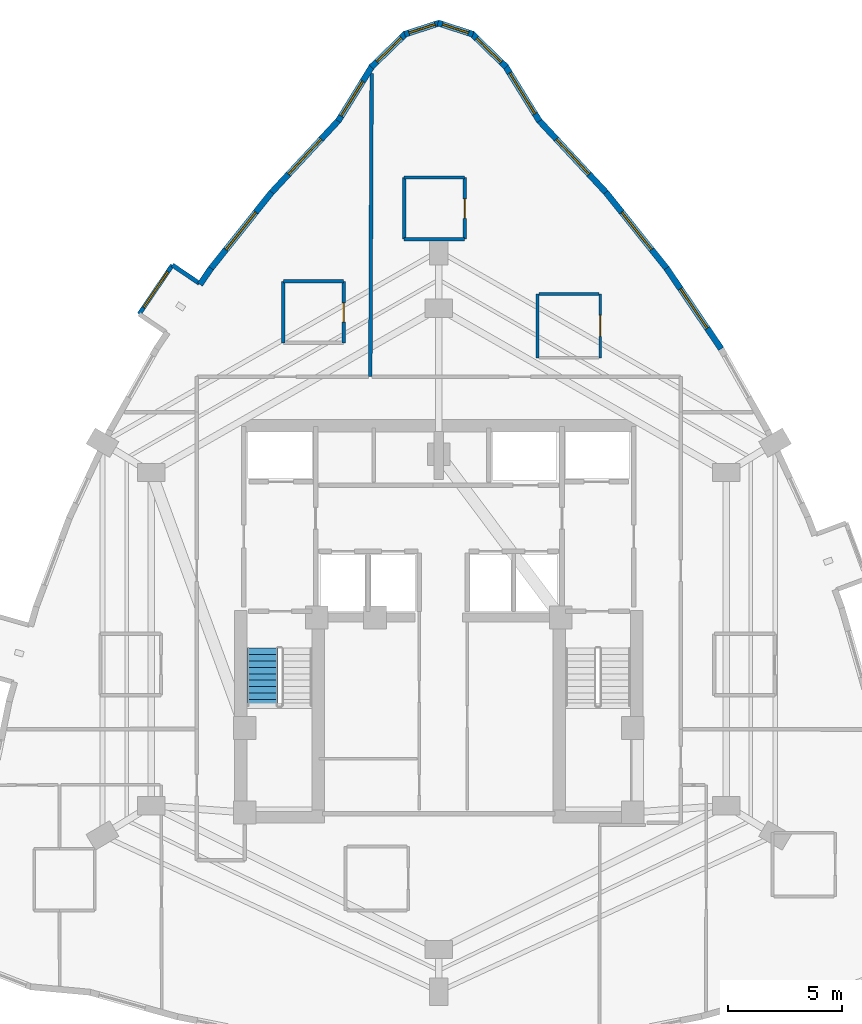
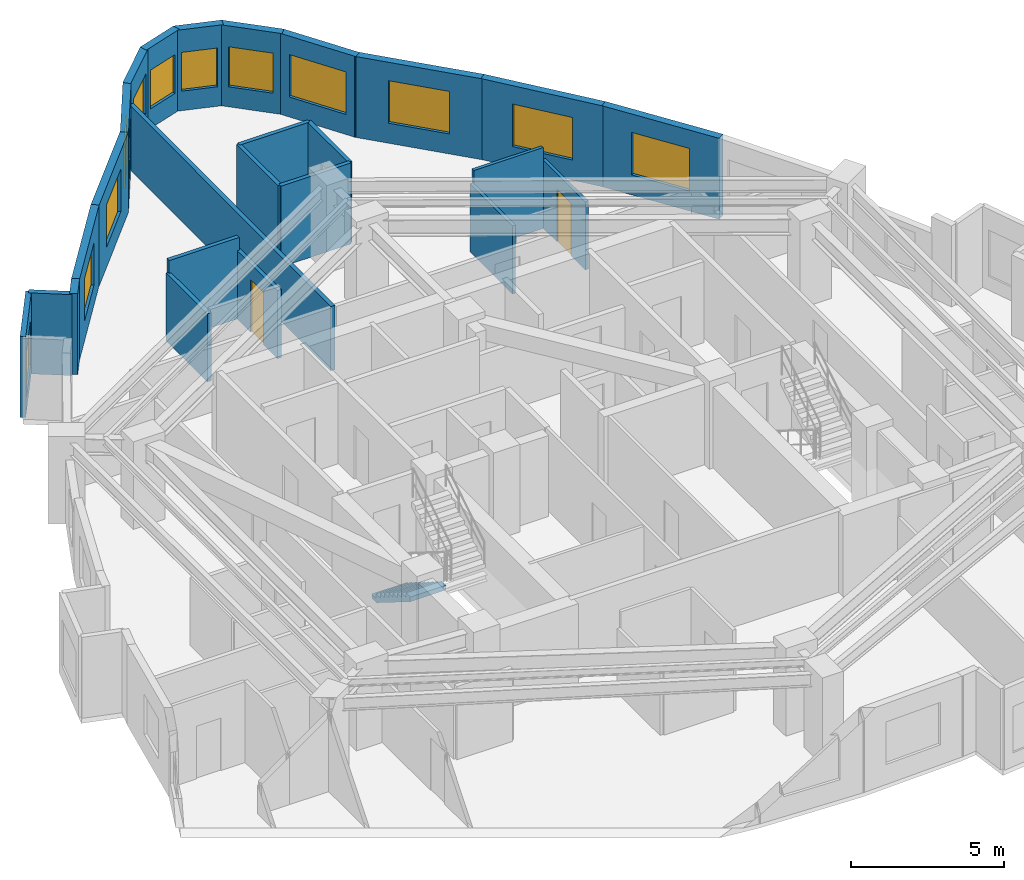
# One storey, part 7 of 9: 25 walls, 12 windows, 3 doors, 1 stair flight, 15 openings, 1 element without a shape of its own.
"""IFC4 building model written with IfcOpenShell, lengths in metres."""

import ifcopenshell
import ifcopenshell.guid

model = None  # the IFC model being written
_history = None  # IfcOwnerHistory: only IFC2X3 demands one
_inside = {}  # id of a spatial element -> (the spatial element, [elements in it])
_under = {}  # id of a project, library or spatial element -> (it, [spatial elements below it])
_declared = {}  # id of a project -> (the project, [libraries it declares])
_typed = {}  # id of a type object -> (the type object, [elements of that type])
_made_of = {}  # id of a material, layer set ... -> (it, [elements and type objects made of it])


def new_model(schema):
    """Start an empty IFC model of exactly this schema.

    Asked for "IFC4X3", IfcOpenShell would pick the latest addendum, in which some entities
    have other attributes; the version numbers below select the first issue.
    IFC2X3 requires an IfcOwnerHistory on every rooted entity: one is made here for all.
    """
    global model, _history
    if schema == "IFC4X3":
        model = ifcopenshell.file(schema_version=(4, 3, 0, 0))
    else:
        model = ifcopenshell.file(schema=schema)
    _inside.clear()
    _under.clear()
    _declared.clear()
    _typed.clear()
    _made_of.clear()
    _history = None
    if model.schema == "IFC2X3":
        org = make("IfcOrganization", Name="unknown")
        user = make(
            "IfcPersonAndOrganization",
            ThePerson=make("IfcPerson", FamilyName="unknown"),
            TheOrganization=org,
        )
        app = make(
            "IfcApplication",
            ApplicationDeveloper=org,
            Version="unknown",
            ApplicationFullName="unknown",
            ApplicationIdentifier="unknown",
        )
        _history = make(
            "IfcOwnerHistory",
            OwningUser=user,
            OwningApplication=app,
            ChangeAction="ADDED",
            CreationDate=0,
        )
    return model


def make(cls, **values):
    """One entity of the class cls with the attributes given. An attribute that is None is left unset."""
    return model.create_entity(
        cls, **{name: value for name, value in values.items() if value is not None}
    )


def rooted(cls, **values):
    """An entity with a GlobalId (a new one), such as an element, a storey or a relation."""
    return make(cls, GlobalId=ifcopenshell.guid.new(), OwnerHistory=_history, **values)


def si_unit(unit_type, name, prefix=None):
    """IfcSIUnit, for example si_unit("LENGTHUNIT", "METRE", prefix="MILLI")."""
    return make("IfcSIUnit", UnitType=unit_type, Prefix=prefix, Name=name)


def assignment(units):
    """IfcUnitAssignment: the units of a project."""
    return None if units is None else make("IfcUnitAssignment", Units=units)


def point(xyz):
    """IfcCartesianPoint."""
    return None if xyz is None else make("IfcCartesianPoint", Coordinates=xyz)


def direction(xyz):
    """IfcDirection."""
    return None if xyz is None else make("IfcDirection", DirectionRatios=xyz)


def frame(location, z_axis=None, x_axis=None):
    """IfcAxis2Placement3D, a coordinate frame: its origin and axes. An axis left out is left unset."""
    return make(
        "IfcAxis2Placement3D",
        Location=point(location),
        Axis=direction(z_axis),
        RefDirection=direction(x_axis),
    )


def frame_2d(location, x_axis=None):
    """IfcAxis2Placement2D, a coordinate frame in the plane: its origin and x axis."""
    return make(
        "IfcAxis2Placement2D", Location=point(location), RefDirection=direction(x_axis)
    )


def origin():
    """The frame at (0, 0, 0) with its axes left unset."""
    return frame((0.0, 0.0, 0.0))


def place(relative_to, where):
    """IfcLocalPlacement: puts the frame where relative to a parent placement (None: the world)."""
    return make(
        "IfcLocalPlacement", PlacementRelTo=relative_to, RelativePlacement=where
    )


def context(
    kind, dimensions, precision=None, world=None, true_north=None, identifier=None
):
    """IfcGeometricRepresentationContext, for example the 3D "Model" context."""
    return make(
        "IfcGeometricRepresentationContext",
        ContextIdentifier=identifier,
        ContextType=kind,
        CoordinateSpaceDimension=dimensions,
        Precision=precision,
        WorldCoordinateSystem=world,
        TrueNorth=true_north,
    )


def subcontext(parent, identifier, kind, view, scale=None):
    """IfcGeometricRepresentationSubContext, for example "Body" below "Model"."""
    return make(
        "IfcGeometricRepresentationSubContext",
        ContextIdentifier=identifier,
        ContextType=kind,
        ParentContext=parent,
        TargetScale=scale,
        TargetView=view,
    )


def project(units=None, contexts=None):
    """IfcProject with its units and contexts."""
    return rooted(
        "IfcProject",
        Name="project",
        RepresentationContexts=contexts,
        UnitsInContext=assignment(units),
    )


def spatial(cls, under=None, at=None, **own):
    """A site, building, storey or space (cls), placed at a placement, below another one or the project."""
    s = rooted(cls, ObjectPlacement=at, **own)
    if under is not None:
        _under.setdefault(under.id(), (under, []))[1].append(s)
    return s


def polyline(points):
    """IfcPolyline through the points."""
    return make("IfcPolyline", Points=[point(p) for p in points])


def profile(cls, at=None, kind="AREA", **sizes):
    """A parametric profile (cls). Its sizes go by their IFC names, for example OverallWidth=200.0."""
    return make(cls, ProfileType=kind, Position=at, **sizes)


def rectangle(**sizes):
    """IfcRectangleProfileDef."""
    return profile("IfcRectangleProfileDef", **sizes)


def outline(outer, holes=None, kind="AREA"):
    """IfcArbitraryClosedProfileDef: a profile drawn as a closed curve; with holes, ...WithVoids."""
    if holes is None:
        return make("IfcArbitraryClosedProfileDef", ProfileType=kind, OuterCurve=outer)
    return make(
        "IfcArbitraryProfileDefWithVoids",
        ProfileType=kind,
        OuterCurve=outer,
        InnerCurves=holes,
    )


def extrude(swept, where, along, depth):
    """IfcExtrudedAreaSolid: the profile swept, set in the frame where, extruded along a direction by depth."""
    return make(
        "IfcExtrudedAreaSolid",
        SweptArea=swept,
        Position=where,
        ExtrudedDirection=direction(along),
        Depth=depth,
    )


def shape(context_of_items, identifier, shape_type, items):
    """IfcShapeRepresentation: the items that make up one representation, for example the "Body"."""
    return make(
        "IfcShapeRepresentation",
        ContextOfItems=context_of_items,
        RepresentationIdentifier=identifier,
        RepresentationType=shape_type,
        Items=items,
    )


def material(Name=None, Category=None):
    """IfcMaterial."""
    return make("IfcMaterial", Name=Name, Category=Category)


def layer(
    of_material, thickness, ventilated=None, Name=None, Category=None, Priority=None
):
    """IfcMaterialLayer: one layer of a wall or slab, of a material (None: an air gap)."""
    return make(
        "IfcMaterialLayer",
        Material=of_material,
        LayerThickness=thickness,
        IsVentilated=ventilated,
        Name=Name,
        Category=Category,
        Priority=Priority,
    )


def layer_set(layers, Name=None):
    """IfcMaterialLayerSet."""
    return make("IfcMaterialLayerSet", MaterialLayers=layers, LayerSetName=Name)


def made_of(thing, what):
    """Note that an element or type object is made of a material, layer set ...; save() writes the relation."""
    if what is not None:
        _made_of.setdefault(what.id(), (what, []))[1].append(thing)
    return thing


def type_object(cls, material=None, **own):
    """A type object (cls), such as IfcWallType, which elements share."""
    return made_of(rooted(cls, **own), material)


def element(
    cls,
    number,
    at=None,
    inside=None,
    cuts=None,
    type_object=None,
    material=None,
    context=None,
    identifier="Body",
    shape_type=None,
    held_by="IfcProductDefinitionShape",
    body=None,
    shapes=None,
    **own,
):
    """One element of the class cls, such as IfcWall. Its Tag is "e" and its number.

    at: its placement. inside: the storey or other place that contains it. cuts: it is an
    opening in that element (IfcRelVoidsElement). A single representation is given by context,
    identifier, shape_type and body (its items); several are given by shapes. held_by: the class
    of the entity that holds the representations. save() writes the other relations.
    """
    e = rooted(cls, Tag="e%d" % number, ObjectPlacement=at, **own)
    if body is not None:
        shapes = [shape(context, identifier, shape_type, body)]
    if shapes is not None:
        e.Representation = make(held_by, Representations=shapes)
    if inside is not None:
        _inside.setdefault(inside.id(), (inside, []))[1].append(e)
    if cuts is not None:
        rooted(
            "IfcRelVoidsElement", RelatingBuildingElement=cuts, RelatedOpeningElement=e
        )
    if type_object is not None:
        _typed.setdefault(type_object.id(), (type_object, []))[1].append(e)
    return made_of(e, material)


def fill(opening, filler):
    """IfcRelFillsElement: the door or window that sits in an opening."""
    return rooted(
        "IfcRelFillsElement",
        RelatingOpeningElement=opening,
        RelatedBuildingElement=filler,
    )


def aggregate(whole, parts):
    """IfcRelAggregates: a whole, such as a stair, and the parts it consists of."""
    return rooted("IfcRelAggregates", RelatingObject=whole, RelatedObjects=parts)


def save(model, path):
    """Write the relations noted so far, then the file.

    IfcRelAggregates (storeys below a building ...), IfcRelContainedInSpatialStructure (elements
    in a storey), IfcRelDefinesByType, IfcRelAssociatesMaterial and IfcRelDeclares: one each for
    every whole, place, type object, material and project.
    """
    for whole, parts in _under.values():
        aggregate(whole, parts)
    for where, things in _inside.values():
        rooted(
            "IfcRelContainedInSpatialStructure",
            RelatedElements=things,
            RelatingStructure=where,
        )
    for kind, things in _typed.values():
        rooted("IfcRelDefinesByType", RelatedObjects=things, RelatingType=kind)
    for what, things in _made_of.values():
        rooted("IfcRelAssociatesMaterial", RelatedObjects=things, RelatingMaterial=what)
    for by, libraries in _declared.values():
        rooted("IfcRelDeclares", RelatingContext=by, RelatedDefinitions=libraries)
    model.write(path)


model = new_model("IFC4")

# Units and contexts
model_context = context("Model", 3, precision=1e-05, world=origin(), true_north=direction((0.0, 1.0)))
body_context = subcontext(model_context, "Body", "Model", "MODEL_VIEW")
ifc_project = project(units=[si_unit("LENGTHUNIT", "METRE"), si_unit("AREAUNIT", "SQUARE_METRE"), si_unit("VOLUMEUNIT", "CUBIC_METRE"), si_unit("PLANEANGLEUNIT", "RADIAN"), si_unit("MASSUNIT", "GRAM", prefix="KILO")], contexts=[model_context])

# Site, building, storey
site_placement = place(None, origin())
site = spatial("IfcSite", under=ifc_project, at=site_placement, CompositionType="ELEMENT")
building_placement = place(site_placement, origin())
building = spatial("IfcBuilding", under=site, at=building_placement, Name="Miruveldt Soraemaru", CompositionType="ELEMENT")
storey_placement = place(building_placement, frame((0.0, 0.0, 170.39990234375)))
storey = spatial("IfcBuildingStorey", under=building, at=storey_placement, Name="L47", CompositionType="ELEMENT", Elevation=170.39990234375)

# Wall
ifc_material_1 = material(Name="White powder-coated aluminium EN AW-6060 T6", Category="aluminium")
ifc_layer_1 = layer(ifc_material_1, 0.18994140625, Name="White powder-coated aluminium EN AW-6060 T6", Category="aluminium")
ifc_layer_set_1 = layer_set([ifc_layer_1], Name="White powder-coated aluminium EN AW-6060 T6")
wall_type_1 = type_object("IfcWallType", Name="WALL-BAY-ALU190", PredefinedType="SOLIDWALL", material=ifc_layer_set_1)
wall_1_placement = place(storey_placement, frame((33.5029296875, 58.69580078125, 0.0), z_axis=(0.0, 0.0, 1.0), x_axis=(-0.827862228344, 0.560931485016, 0.0)))
element("IfcWall", 1, at=wall_1_placement, inside=storey, type_object=wall_type_1, Name="L47 Bay Window Side Cheek 1L", PredefinedType="SOLIDWALL", context=body_context, shape_type="SweptSolid", body=[
    extrude(rectangle(XDim=1.425048828125, YDim=0.18994140625, at=frame_2d((0.71240234375, 0.0))), origin(), (0.0, 0.0, 1.0), 3.235107421875),
])

# Wall, opening, window
wall_2_placement = place(storey_placement, frame((32.3232421875, 59.4951171875, 0.0), z_axis=(0.0, 0.0, 1.0), x_axis=(-0.560860602504, -0.827910251512, 0.0)))
wall_2 = element("IfcWall", 2, at=wall_2_placement, inside=storey, type_object=wall_type_1, Name="L47 Bay Window Front Frame 1", PredefinedType="SOLIDWALL", context=body_context, shape_type="SweptSolid", body=[
    extrude(rectangle(XDim=2.60009765625, YDim=0.18994140625, at=frame_2d((1.300048828125, 0.0))), origin(), (0.0, 0.0, 1.0), 3.235107421875),
])
opening_1_placement = place(wall_2_placement, frame((0.35009765625, 0.0, 0.550048828125)))
opening_1 = element("IfcOpeningElement", 3, at=opening_1_placement, cuts=wall_2, Name="Opening WN-6", PredefinedType="OPENING", context=body_context, shape_type="SweptSolid", body=[
    extrude(rectangle(XDim=1.89990234375, YDim=1.85009765625, at=frame_2d((0.949951171875, 0.925048828125))), frame((0.0, 0.10498046875, 0.0), z_axis=(0.0, -1.0, 0.0), x_axis=(1.0, 0.0, 0.0)), (0.0, 0.0, 1.0), 0.2099609375),
])
ifc_material_2 = material(Name="Triple low-e insulated glazing", Category="glass")
window_type_1 = type_object("IfcWindowType", Name="WIN-BAYW-1900x1850", PartitioningType="SINGLE_PANEL", PredefinedType="WINDOW", material=ifc_material_2)
window_1_placement = place(opening_1_placement, origin())
window_1 = element("IfcWindow", 4, at=window_1_placement, inside=storey, type_object=window_type_1, Name="L47 Projecting Bay Window 1", OverallHeight=1.85009765625, OverallWidth=1.89990234375, PartitioningType="SINGLE_PANEL", PredefinedType="WINDOW", context=body_context, shape_type="SweptSolid", body=[
    extrude(rectangle(XDim=1.89990234375, YDim=1.85009765625, at=frame_2d((0.949951171875, 0.925048828125))), frame((0.0, 0.030029296875, 0.0), z_axis=(0.0, -1.0, 0.0), x_axis=(1.0, 0.0, 0.0)), (0.0, 0.0, 1.0), 0.06005859375),
])
fill(opening_1, window_1)

ifc_material_3 = material(Name="Precast concrete C45/55 (45 MPa)", Category="concrete")
ifc_layer_2 = layer(ifc_material_3, 0.27001953125, Name="Precast concrete C45/55 (45 MPa)", Category="concrete")
ifc_layer_set_2 = layer_set([ifc_layer_2], Name="Precast concrete C45/55 (45 MPa)")
wall_type_2 = type_object("IfcWallType", Name="WALL-EXT-PC270", PredefinedType="SOLIDWALL", material=ifc_layer_set_2)
wall_3_placement = place(storey_placement, frame((48.412841796875, 65.80322265625, 0.0), z_axis=(0.0, 0.0, 1.0), x_axis=(-0.526095476119, 0.850425511145, 0.0)))
wall_3 = element("IfcWall", 5, at=wall_3_placement, inside=storey, type_object=wall_type_2, Name="L47 Precast Concrete Facade Wall 1", PredefinedType="SOLIDWALL", context=body_context, shape_type="SweptSolid", body=[
    extrude(rectangle(XDim=2.8544921875, YDim=0.27001953125, at=frame_2d((1.42724609375, 0.0))), origin(), (0.0, 0.0, 1.0), 3.235107421875),
])
opening_2_placement = place(wall_3_placement, frame((0.376953125, 0.0, 0.800048828125)))
opening_2 = element("IfcOpeningElement", 6, at=opening_2_placement, cuts=wall_3, Name="Opening WN-1", PredefinedType="OPENING", context=body_context, shape_type="SweptSolid", body=[
    extrude(rectangle(XDim=2.10009765625, YDim=1.699951171875, at=frame_2d((1.050048828125, 0.85009765625))), frame((0.0, 0.14501953125, 0.0), z_axis=(0.0, -1.0, 0.0), x_axis=(1.0, 0.0, 0.0)), (0.0, 0.0, 1.0), 0.2900390625),
])
window_type_2 = type_object("IfcWindowType", Name="WIN-PUNCH-2100x1700", PartitioningType="SINGLE_PANEL", PredefinedType="WINDOW", material=ifc_material_2)
window_2_placement = place(opening_2_placement, origin())
window_2 = element("IfcWindow", 7, at=window_2_placement, inside=storey, type_object=window_type_2, Name="L47 Punched Triple-Glazed Window 01.1", OverallHeight=1.699951171875, OverallWidth=2.10009765625, PartitioningType="SINGLE_PANEL", PredefinedType="WINDOW", context=body_context, shape_type="SweptSolid", body=[
    extrude(rectangle(XDim=2.10009765625, YDim=1.699951171875, at=frame_2d((1.050048828125, 0.85009765625))), frame((0.0, 0.030029296875, 0.0), z_axis=(0.0, -1.0, 0.0), x_axis=(1.0, 0.0, 0.0)), (0.0, 0.0, 1.0), 0.06005859375),
])
fill(opening_2, window_2)

wall_4_placement = place(storey_placement, frame((46.95458984375, 68.176513671875, 0.0), z_axis=(0.0, 0.0, 1.0), x_axis=(-0.717725197835, 0.696326461075, 0.0)))
wall_4 = element("IfcWall", 8, at=wall_4_placement, inside=storey, type_object=wall_type_2, Name="L47 Precast Concrete Facade Wall 2", PredefinedType="SOLIDWALL", context=body_context, shape_type="SweptSolid", body=[
    extrude(rectangle(XDim=2.110595703125, YDim=0.27001953125, at=frame_2d((1.05517578125, 0.0))), origin(), (0.0, 0.0, 1.0), 3.235107421875),
])
opening_3_placement = place(wall_4_placement, frame((0.305908203125, 0.0, 0.800048828125)))
opening_3 = element("IfcOpeningElement", 9, at=opening_3_placement, cuts=wall_4, Name="Opening WN-3", PredefinedType="OPENING", context=body_context, shape_type="SweptSolid", body=[
    extrude(rectangle(XDim=1.5, YDim=1.60009765625, at=frame_2d((0.75, 0.800048828125))), frame((0.0, 0.14501953125, 0.0), z_axis=(0.0, -1.0, 0.0), x_axis=(1.0, 0.0, 0.0)), (0.0, 0.0, 1.0), 0.2900390625),
])
window_type_3 = type_object("IfcWindowType", Name="WIN-PUNCH-1500x1600", PartitioningType="SINGLE_PANEL", PredefinedType="WINDOW", material=ifc_material_2)
window_3_placement = place(opening_3_placement, origin())
window_3 = element("IfcWindow", 10, at=window_3_placement, inside=storey, type_object=window_type_3, Name="L47 Punched Triple-Glazed Window 02.1", OverallHeight=1.60009765625, OverallWidth=1.5, PartitioningType="SINGLE_PANEL", PredefinedType="WINDOW", context=body_context, shape_type="SweptSolid", body=[
    extrude(rectangle(XDim=1.5, YDim=1.60009765625, at=frame_2d((0.75, 0.800048828125))), frame((0.0, 0.030029296875, 0.0), z_axis=(0.0, -1.0, 0.0), x_axis=(1.0, 0.0, 0.0)), (0.0, 0.0, 1.0), 0.06005859375),
])
fill(opening_3, window_3)

wall_5_placement = place(storey_placement, frame((45.498046875, 69.611083984375, 0.0), z_axis=(0.0, 0.0, 1.0), x_axis=(-0.951496776106, 0.307658715233, 0.0)))
wall_5 = element("IfcWall", 11, at=wall_5_placement, inside=storey, type_object=wall_type_2, Name="L47 Precast Concrete Facade Wall 3", PredefinedType="SOLIDWALL", context=body_context, shape_type="SweptSolid", body=[
    extrude(rectangle(XDim=1.609375, YDim=0.27001953125, at=frame_2d((0.8046875, 0.0))), origin(), (0.0, 0.0, 1.0), 3.235107421875),
])
opening_4_placement = place(wall_5_placement, frame((0.205078125, 0.0, 0.780029296875)))
opening_4 = element("IfcOpeningElement", 12, at=opening_4_placement, cuts=wall_5, Name="Opening WN-4", PredefinedType="OPENING", context=body_context, shape_type="SweptSolid", body=[
    extrude(rectangle(XDim=1.199951171875, YDim=1.550048828125, at=frame_2d((0.60009765625, 0.77490234375))), frame((0.0, 0.14501953125, 0.0), z_axis=(0.0, -1.0, 0.0), x_axis=(1.0, 0.0, 0.0)), (0.0, 0.0, 1.0), 0.2900390625),
])
window_type_4 = type_object("IfcWindowType", Name="WIN-PUNCH-1200x1550", PartitioningType="SINGLE_PANEL", PredefinedType="WINDOW", material=ifc_material_2)
window_4_placement = place(opening_4_placement, origin())
window_4 = element("IfcWindow", 13, at=window_4_placement, inside=storey, type_object=window_type_4, Name="L47 Punched Triple-Glazed Window 03.1", OverallHeight=1.550048828125, OverallWidth=1.199951171875, PartitioningType="SINGLE_PANEL", PredefinedType="WINDOW", context=body_context, shape_type="SweptSolid", body=[
    extrude(rectangle(XDim=1.199951171875, YDim=1.550048828125, at=frame_2d((0.60009765625, 0.77490234375))), frame((0.0, 0.030029296875, 0.0), z_axis=(0.0, -1.0, 0.0), x_axis=(1.0, 0.0, 0.0)), (0.0, 0.0, 1.0), 0.06005859375),
])
fill(opening_4, window_4)

wall_6_placement = place(storey_placement, frame((44.033203125, 70.106201171875, 0.0), z_axis=(0.0, 0.0, 1.0), x_axis=(-0.951496776106, -0.307658715233, 0.0)))
wall_6 = element("IfcWall", 14, at=wall_6_placement, inside=storey, type_object=wall_type_2, Name="L47 Precast Concrete Facade Wall 4", PredefinedType="SOLIDWALL", context=body_context, shape_type="SweptSolid", body=[
    extrude(rectangle(XDim=1.609375, YDim=0.27001953125, at=frame_2d((0.8046875, 0.0))), origin(), (0.0, 0.0, 1.0), 3.235107421875),
])
opening_5_placement = place(wall_6_placement, frame((0.205078125, 0.0, 0.780029296875)))
opening_5 = element("IfcOpeningElement", 15, at=opening_5_placement, cuts=wall_6, Name="Opening WN-4", PredefinedType="OPENING", context=body_context, shape_type="SweptSolid", body=[
    extrude(rectangle(XDim=1.199951171875, YDim=1.550048828125, at=frame_2d((0.60009765625, 0.77490234375))), frame((0.0, 0.14501953125, 0.0), z_axis=(0.0, -1.0, 0.0), x_axis=(1.0, 0.0, 0.0)), (0.0, 0.0, 1.0), 0.2900390625),
])
window_5_placement = place(opening_5_placement, origin())
window_5 = element("IfcWindow", 16, at=window_5_placement, inside=storey, type_object=window_type_4, Name="L47 Punched Triple-Glazed Window 04.1", OverallHeight=1.550048828125, OverallWidth=1.199951171875, PartitioningType="SINGLE_PANEL", PredefinedType="WINDOW", context=body_context, shape_type="SweptSolid", body=[
    extrude(rectangle(XDim=1.199951171875, YDim=1.550048828125, at=frame_2d((0.60009765625, 0.77490234375))), frame((0.0, 0.030029296875, 0.0), z_axis=(0.0, -1.0, 0.0), x_axis=(1.0, 0.0, 0.0)), (0.0, 0.0, 1.0), 0.06005859375),
])
fill(opening_5, window_5)

wall_7_placement = place(storey_placement, frame((42.560302734375, 69.646240234375, 0.0), z_axis=(0.0, 0.0, 1.0), x_axis=(-0.717725197835, -0.696326461075, 0.0)))
wall_7 = element("IfcWall", 17, at=wall_7_placement, inside=storey, type_object=wall_type_2, Name="L47 Precast Concrete Facade Wall 5", PredefinedType="SOLIDWALL", context=body_context, shape_type="SweptSolid", body=[
    extrude(rectangle(XDim=2.110595703125, YDim=0.27001953125, at=frame_2d((1.05517578125, 0.0))), origin(), (0.0, 0.0, 1.0), 3.235107421875),
])
opening_6_placement = place(wall_7_placement, frame((0.278076171875, 0.0, 0.800048828125)))
opening_6 = element("IfcOpeningElement", 18, at=opening_6_placement, cuts=wall_7, Name="Opening WN-3", PredefinedType="OPENING", context=body_context, shape_type="SweptSolid", body=[
    extrude(rectangle(XDim=1.5, YDim=1.60009765625, at=frame_2d((0.75, 0.800048828125))), frame((0.0, 0.14501953125, 0.0), z_axis=(0.0, -1.0, 0.0), x_axis=(1.0, 0.0, 0.0)), (0.0, 0.0, 1.0), 0.2900390625),
])
window_6_placement = place(opening_6_placement, origin())
window_6 = element("IfcWindow", 19, at=window_6_placement, inside=storey, type_object=window_type_3, Name="L47 Punched Triple-Glazed Window 05.1", OverallHeight=1.60009765625, OverallWidth=1.5, PartitioningType="SINGLE_PANEL", PredefinedType="WINDOW", context=body_context, shape_type="SweptSolid", body=[
    extrude(rectangle(XDim=1.5, YDim=1.60009765625, at=frame_2d((0.75, 0.800048828125))), frame((0.0, 0.030029296875, 0.0), z_axis=(0.0, -1.0, 0.0), x_axis=(1.0, 0.0, 0.0)), (0.0, 0.0, 1.0), 0.06005859375),
])
fill(opening_6, window_6)

wall_8_placement = place(storey_placement, frame((41.0888671875, 68.230712890625, 0.0), z_axis=(0.0, 0.0, 1.0), x_axis=(-0.526095476119, -0.850425511145, 0.0)))
wall_8 = element("IfcWall", 20, at=wall_8_placement, inside=storey, type_object=wall_type_2, Name="L47 Precast Concrete Facade Wall 6", PredefinedType="SOLIDWALL", context=body_context, shape_type="SweptSolid", body=[
    extrude(rectangle(XDim=2.8544921875, YDim=0.27001953125, at=frame_2d((1.42724609375, 0.0))), origin(), (0.0, 0.0, 1.0), 3.235107421875),
])
opening_7_placement = place(wall_8_placement, frame((0.797119140625, 0.0, 0.800048828125)))
opening_7 = element("IfcOpeningElement", 21, at=opening_7_placement, cuts=wall_8, Name="Opening WN-2", PredefinedType="OPENING", context=body_context, shape_type="SweptSolid", body=[
    extrude(rectangle(XDim=1.800048828125, YDim=1.64990234375, at=frame_2d((0.89990234375, 0.824951171875))), frame((0.0, 0.14501953125, 0.0), z_axis=(0.0, -1.0, 0.0), x_axis=(1.0, 0.0, 0.0)), (0.0, 0.0, 1.0), 0.2900390625),
])
window_type_5 = type_object("IfcWindowType", Name="WIN-PUNCH-1800x1650", PartitioningType="SINGLE_PANEL", PredefinedType="WINDOW", material=ifc_material_2)
window_7_placement = place(opening_7_placement, origin())
window_7 = element("IfcWindow", 22, at=window_7_placement, inside=storey, type_object=window_type_5, Name="L47 Punched Triple-Glazed Window 06.1", OverallHeight=1.64990234375, OverallWidth=1.800048828125, PartitioningType="SINGLE_PANEL", PredefinedType="WINDOW", context=body_context, shape_type="SweptSolid", body=[
    extrude(rectangle(XDim=1.800048828125, YDim=1.64990234375, at=frame_2d((0.89990234375, 0.824951171875))), frame((0.0, 0.030029296875, 0.0), z_axis=(0.0, -1.0, 0.0), x_axis=(1.0, 0.0, 0.0)), (0.0, 0.0, 1.0), 0.06005859375),
])
fill(opening_7, window_7)

wall_9_placement = place(storey_placement, frame((39.62939453125, 65.858642578125, 0.0), z_axis=(0.0, 0.0, 1.0), x_axis=(-0.680867612552, -0.732406508831, 0.0)))
wall_9 = element("IfcWall", 23, at=wall_9_placement, inside=storey, type_object=wall_type_2, Name="L47 Precast Concrete Facade Wall 7", PredefinedType="SOLIDWALL", context=body_context, shape_type="SweptSolid", body=[
    extrude(rectangle(XDim=4.405517578125, YDim=0.27001953125, at=frame_2d((2.20263671875, 0.0))), origin(), (0.0, 0.0, 1.0), 3.235107421875),
])
opening_8_placement = place(wall_9_placement, frame((1.152099609375, 0.0, 0.800048828125)))
opening_8 = element("IfcOpeningElement", 24, at=opening_8_placement, cuts=wall_9, Name="Opening WN-1", PredefinedType="OPENING", context=body_context, shape_type="SweptSolid", body=[
    extrude(rectangle(XDim=2.10009765625, YDim=1.699951171875, at=frame_2d((1.050048828125, 0.85009765625))), frame((0.0, 0.14501953125, 0.0), z_axis=(0.0, -1.0, 0.0), x_axis=(1.0, 0.0, 0.0)), (0.0, 0.0, 1.0), 0.2900390625),
])
window_8_placement = place(opening_8_placement, origin())
window_8 = element("IfcWindow", 25, at=window_8_placement, inside=storey, type_object=window_type_2, Name="L47 Punched Triple-Glazed Window 07.1", OverallHeight=1.699951171875, OverallWidth=2.10009765625, PartitioningType="SINGLE_PANEL", PredefinedType="WINDOW", context=body_context, shape_type="SweptSolid", body=[
    extrude(rectangle(XDim=2.10009765625, YDim=1.699951171875, at=frame_2d((1.050048828125, 0.85009765625))), frame((0.0, 0.030029296875, 0.0), z_axis=(0.0, -1.0, 0.0), x_axis=(1.0, 0.0, 0.0)), (0.0, 0.0, 1.0), 0.06005859375),
])
fill(opening_8, window_8)

wall_10_placement = place(storey_placement, frame((36.67529296875, 62.68505859375, 0.0), z_axis=(0.0, 0.0, 1.0), x_axis=(-0.623572950906, -0.781765166082, 0.0)))
wall_10 = element("IfcWall", 26, at=wall_10_placement, inside=storey, type_object=wall_type_2, Name="L47 Precast Concrete Facade Wall 8", PredefinedType="SOLIDWALL", context=body_context, shape_type="SweptSolid", body=[
    extrude(rectangle(XDim=4.327392578125, YDim=0.27001953125, at=frame_2d((2.16357421875, 0.0))), origin(), (0.0, 0.0, 1.0), 3.235107421875),
])
opening_9_placement = place(wall_10_placement, frame((1.114013671875, 0.0, 0.800048828125)))
opening_9 = element("IfcOpeningElement", 27, at=opening_9_placement, cuts=wall_10, Name="Opening WN-1", PredefinedType="OPENING", context=body_context, shape_type="SweptSolid", body=[
    extrude(rectangle(XDim=2.10009765625, YDim=1.699951171875, at=frame_2d((1.050048828125, 0.85009765625))), frame((0.0, 0.14501953125, 0.0), z_axis=(0.0, -1.0, 0.0), x_axis=(1.0, 0.0, 0.0)), (0.0, 0.0, 1.0), 0.2900390625),
])
window_9_placement = place(opening_9_placement, origin())
window_9 = element("IfcWindow", 28, at=window_9_placement, inside=storey, type_object=window_type_2, Name="L47 Punched Triple-Glazed Window 08.1", OverallHeight=1.699951171875, OverallWidth=2.10009765625, PartitioningType="SINGLE_PANEL", PredefinedType="WINDOW", context=body_context, shape_type="SweptSolid", body=[
    extrude(rectangle(XDim=2.10009765625, YDim=1.699951171875, at=frame_2d((1.050048828125, 0.85009765625))), frame((0.0, 0.030029296875, 0.0), z_axis=(0.0, -1.0, 0.0), x_axis=(1.0, 0.0, 0.0)), (0.0, 0.0, 1.0), 0.06005859375),
])
fill(opening_9, window_9)

# Wall
wall_11_placement = place(storey_placement, frame((34.01806640625, 59.3583984375, 0.0), z_axis=(0.0, 0.0, 1.0), x_axis=(-0.560661430065, -0.828045144203, 0.0)))
element("IfcWall", 29, at=wall_11_placement, inside=storey, type_object=wall_type_2, Name="L47 Precast Pier Wall 9A", PredefinedType="SOLIDWALL", context=body_context, shape_type="SweptSolid", body=[
    extrude(rectangle(XDim=0.867431640625, YDim=0.27001953125, at=frame_2d((0.43359375, 0.0))), origin(), (0.0, 0.0, 1.0), 3.235107421875),
])

# Wall, opening, window
wall_12_placement = place(storey_placement, frame((56.37939453125, 55.819091796875, 0.0), z_axis=(0.0, 0.0, 1.0), x_axis=(-0.560826677565, 0.827933232653, 0.0)))
wall_12 = element("IfcWall", 30, at=wall_12_placement, inside=storey, type_object=wall_type_2, Name="L47 Precast Concrete Facade Wall 40", PredefinedType="SOLIDWALL", context=body_context, shape_type="SweptSolid", body=[
    extrude(rectangle(XDim=4.27490234375, YDim=0.27001953125, at=frame_2d((2.137451171875, 0.0))), origin(), (0.0, 0.0, 1.0), 3.235107421875),
])
opening_10_placement = place(wall_12_placement, frame((1.0869140625, 0.0, 0.800048828125)))
opening_10 = element("IfcOpeningElement", 31, at=opening_10_placement, cuts=wall_12, Name="Opening WN-1", PredefinedType="OPENING", context=body_context, shape_type="SweptSolid", body=[
    extrude(rectangle(XDim=2.10009765625, YDim=1.699951171875, at=frame_2d((1.050048828125, 0.85009765625))), frame((0.0, 0.14501953125, 0.0), z_axis=(0.0, -1.0, 0.0), x_axis=(1.0, 0.0, 0.0)), (0.0, 0.0, 1.0), 0.2900390625),
])
window_10_placement = place(opening_10_placement, origin())
window_10 = element("IfcWindow", 32, at=window_10_placement, inside=storey, type_object=window_type_2, Name="L47 Punched Triple-Glazed Window 40.1", OverallHeight=1.699951171875, OverallWidth=2.10009765625, PartitioningType="SINGLE_PANEL", PredefinedType="WINDOW", context=body_context, shape_type="SweptSolid", body=[
    extrude(rectangle(XDim=2.10009765625, YDim=1.699951171875, at=frame_2d((1.050048828125, 0.85009765625))), frame((0.0, 0.030029296875, 0.0), z_axis=(0.0, -1.0, 0.0), x_axis=(1.0, 0.0, 0.0)), (0.0, 0.0, 1.0), 0.06005859375),
])
fill(opening_10, window_10)

wall_13_placement = place(storey_placement, frame((54.023193359375, 59.302001953125, 0.0), z_axis=(0.0, 0.0, 1.0), x_axis=(-0.623572950906, 0.781765166082, 0.0)))
wall_13 = element("IfcWall", 33, at=wall_13_placement, inside=storey, type_object=wall_type_2, Name="L47 Precast Concrete Facade Wall 41", PredefinedType="SOLIDWALL", context=body_context, shape_type="SweptSolid", body=[
    extrude(rectangle(XDim=4.327392578125, YDim=0.27001953125, at=frame_2d((2.16357421875, 0.0))), origin(), (0.0, 0.0, 1.0), 3.235107421875),
])
opening_11_placement = place(wall_13_placement, frame((1.114013671875, 0.0, 0.800048828125)))
opening_11 = element("IfcOpeningElement", 34, at=opening_11_placement, cuts=wall_13, Name="Opening WN-1", PredefinedType="OPENING", context=body_context, shape_type="SweptSolid", body=[
    extrude(rectangle(XDim=2.10009765625, YDim=1.699951171875, at=frame_2d((1.050048828125, 0.85009765625))), frame((0.0, 0.14501953125, 0.0), z_axis=(0.0, -1.0, 0.0), x_axis=(1.0, 0.0, 0.0)), (0.0, 0.0, 1.0), 0.2900390625),
])
window_11_placement = place(opening_11_placement, origin())
window_11 = element("IfcWindow", 35, at=window_11_placement, inside=storey, type_object=window_type_2, Name="L47 Punched Triple-Glazed Window 41.1", OverallHeight=1.699951171875, OverallWidth=2.10009765625, PartitioningType="SINGLE_PANEL", PredefinedType="WINDOW", context=body_context, shape_type="SweptSolid", body=[
    extrude(rectangle(XDim=2.10009765625, YDim=1.699951171875, at=frame_2d((1.050048828125, 0.85009765625))), frame((0.0, 0.030029296875, 0.0), z_axis=(0.0, -1.0, 0.0), x_axis=(1.0, 0.0, 0.0)), (0.0, 0.0, 1.0), 0.06005859375),
])
fill(opening_11, window_11)

wall_14_placement = place(storey_placement, frame((51.3701171875, 62.632080078125, 0.0), z_axis=(0.0, 0.0, 1.0), x_axis=(-0.680867612552, 0.732406508831, 0.0)))
wall_14 = element("IfcWall", 36, at=wall_14_placement, inside=storey, type_object=wall_type_2, Name="L47 Precast Concrete Facade Wall 42", PredefinedType="SOLIDWALL", context=body_context, shape_type="SweptSolid", body=[
    extrude(rectangle(XDim=4.405517578125, YDim=0.27001953125, at=frame_2d((2.20263671875, 0.0))), origin(), (0.0, 0.0, 1.0), 3.235107421875),
])
opening_12_placement = place(wall_14_placement, frame((1.152099609375, 0.0, 0.800048828125)))
opening_12 = element("IfcOpeningElement", 37, at=opening_12_placement, cuts=wall_14, Name="Opening WN-1", PredefinedType="OPENING", context=body_context, shape_type="SweptSolid", body=[
    extrude(rectangle(XDim=2.10009765625, YDim=1.699951171875, at=frame_2d((1.050048828125, 0.85009765625))), frame((0.0, 0.14501953125, 0.0), z_axis=(0.0, -1.0, 0.0), x_axis=(1.0, 0.0, 0.0)), (0.0, 0.0, 1.0), 0.2900390625),
])
window_12_placement = place(opening_12_placement, origin())
window_12 = element("IfcWindow", 38, at=window_12_placement, inside=storey, type_object=window_type_2, Name="L47 Punched Triple-Glazed Window 42.1", OverallHeight=1.699951171875, OverallWidth=2.10009765625, PartitioningType="SINGLE_PANEL", PredefinedType="WINDOW", context=body_context, shape_type="SweptSolid", body=[
    extrude(rectangle(XDim=2.10009765625, YDim=1.699951171875, at=frame_2d((1.050048828125, 0.85009765625))), frame((0.0, 0.030029296875, 0.0), z_axis=(0.0, -1.0, 0.0), x_axis=(1.0, 0.0, 0.0)), (0.0, 0.0, 1.0), 0.06005859375),
])
fill(opening_12, window_12)

# Wall, opening, door
ifc_material_4 = material(Name="Gypsum plasterboard lining", Category="gypsum")
ifc_layer_3 = layer(ifc_material_4, 0.1201171875, Name="Gypsum plasterboard lining", Category="gypsum")
ifc_layer_set_3 = layer_set([ifc_layer_3], Name="Gypsum plasterboard lining")
wall_type_3 = type_object("IfcWallType", Name="WALL-INT-P120", PredefinedType="PARTITIONING", material=ifc_layer_set_3)
wall_15_placement = place(storey_placement, frame((51.0810546875, 55.429931640625, 0.0), z_axis=(0.0, 0.0, 1.0), x_axis=(0.0, 1.0, 0.0)))
wall_15 = element("IfcWall", 39, at=wall_15_placement, inside=storey, type_object=wall_type_3, Name="L47 Partition Wall 21", PredefinedType="PARTITIONING", context=body_context, shape_type="SweptSolid", body=[
    extrude(rectangle(XDim=2.800048828125, YDim=0.1201171875, at=frame_2d((1.39990234375, 0.0))), origin(), (0.0, 0.0, 1.0), 2.72314453125),
])
opening_13_placement = place(wall_15_placement, frame((0.93994140625, 0.0, 0.0)))
opening_13 = element("IfcOpeningElement", 40, at=opening_13_placement, cuts=wall_15, Name="Opening D3A", PredefinedType="OPENING", context=body_context, shape_type="SweptSolid", body=[
    extrude(rectangle(XDim=0.919921875, YDim=2.10009765625, at=frame_2d((0.4599609375, 1.050048828125))), frame((0.0, 0.070068359375, 0.0), z_axis=(0.0, -1.0, 0.0), x_axis=(1.0, 0.0, 0.0)), (0.0, 0.0, 1.0), 0.14013671875),
])
ifc_material_5 = material(Name="Anodised aluminium EN AW-6063 T6", Category="aluminium")
door_type_1 = type_object("IfcDoorType", Name="DOOR-INT-920", OperationType="NOTDEFINED", PredefinedType="DOOR", material=ifc_material_5)
door_1_placement = place(opening_13_placement, origin())
door_1 = element("IfcDoor", 41, at=door_1_placement, inside=storey, type_object=door_type_1, Name="L47 Unit CL02 KIT Door", OperationType="SINGLE_SWING_RIGHT", OverallHeight=2.10009765625, OverallWidth=0.919921875, PredefinedType="DOOR", context=body_context, shape_type="SweptSolid", body=[
    extrude(rectangle(XDim=0.919921875, YDim=2.10009765625, at=frame_2d((0.4599609375, 1.050048828125))), frame((0.0, 0.02490234375, 0.0), z_axis=(0.0, -1.0, 0.0), x_axis=(1.0, 0.0, 0.0)), (0.0, 0.0, 1.0), 0.050048828125),
])
fill(opening_13, door_1)

# Walls
wall_16_placement = place(storey_placement, frame((48.3310546875, 58.22998046875, 0.0), z_axis=(0.0, 0.0, 1.0), x_axis=(0.0, -1.0, 0.0)))
element("IfcWall", 42, at=wall_16_placement, inside=storey, type_object=wall_type_3, Name="L47 Partition Wall 23", PredefinedType="PARTITIONING", context=body_context, shape_type="SweptSolid", body=[
    extrude(rectangle(XDim=2.800048828125, YDim=0.1201171875, at=frame_2d((1.39990234375, 0.0))), origin(), (0.0, 0.0, 1.0), 2.72314453125),
])
wall_17_placement = place(storey_placement, frame((51.02099609375, 58.22998046875, 0.0), z_axis=(0.0, 0.0, 1.0), x_axis=(-1.0, 0.0, 0.0)))
element("IfcWall", 43, at=wall_17_placement, inside=storey, type_object=wall_type_3, Name="L47 Partition Wall 22", PredefinedType="PARTITIONING", context=body_context, shape_type="SweptSolid", body=[
    extrude(rectangle(XDim=2.6298828125, YDim=0.1201171875, at=frame_2d((1.31494140625, 0.0))), origin(), (0.0, 0.0, 1.0), 3.235107421875),
])

# Wall, opening, door
ifc_layer_4 = layer(ifc_material_4, 0.14990234375, Name="Gypsum plasterboard lining", Category="gypsum")
ifc_layer_set_4 = layer_set([ifc_layer_4], Name="Gypsum plasterboard lining")
wall_type_4 = type_object("IfcWallType", Name="WALL-INT-PLUMB", PredefinedType="PLUMBINGWALL", material=ifc_layer_set_4)
wall_18_placement = place(storey_placement, frame((39.833984375, 56.080078125, 0.0), z_axis=(0.0, 0.0, 1.0), x_axis=(0.0, 1.0, 0.0)))
wall_18 = element("IfcWall", 44, at=wall_18_placement, inside=storey, type_object=wall_type_4, Name="L47 Partition Wall 13", PredefinedType="PLUMBINGWALL", context=body_context, shape_type="SweptSolid", body=[
    extrude(rectangle(XDim=2.699951171875, YDim=0.14990234375, at=frame_2d((1.35009765625, 0.0))), origin(), (0.0, 0.0, 1.0), 2.72314453125),
])
opening_14_placement = place(wall_18_placement, frame((0.909912109375, 0.0, 0.0)))
opening_14 = element("IfcOpeningElement", 45, at=opening_14_placement, cuts=wall_18, Name="Opening FD3", PredefinedType="OPENING", context=body_context, shape_type="SweptSolid", body=[
    extrude(rectangle(XDim=0.85009765625, YDim=2.10009765625, at=frame_2d((0.425048828125, 1.050048828125))), frame((0.0, 0.0849609375, 0.0), z_axis=(0.0, -1.0, 0.0), x_axis=(1.0, 0.0, 0.0)), (0.0, 0.0, 1.0), 0.169921875),
])
door_type_2 = type_object("IfcDoorType", Name="DOOR-FD3-850", OperationType="NOTDEFINED", PredefinedType="DOOR", material=ifc_material_5)
door_2_placement = place(opening_14_placement, origin())
door_2 = element("IfcDoor", 46, at=door_2_placement, inside=storey, type_object=door_type_2, Name="L47 Unit CL01 BTH Door", OperationType="SINGLE_SWING_LEFT", OverallHeight=2.10009765625, OverallWidth=0.85009765625, PredefinedType="DOOR", context=body_context, shape_type="SweptSolid", body=[
    extrude(rectangle(XDim=0.85009765625, YDim=2.10009765625, at=frame_2d((0.425048828125, 1.050048828125))), frame((0.0, 0.02490234375, 0.0), z_axis=(0.0, -1.0, 0.0), x_axis=(1.0, 0.0, 0.0)), (0.0, 0.0, 1.0), 0.050048828125),
])
fill(opening_14, door_2)

wall_19_placement = place(storey_placement, frame((45.131103515625, 60.6298828125, 0.0), z_axis=(0.0, 0.0, 1.0), x_axis=(0.0, 1.0, 0.0)))
wall_19 = element("IfcWall", 47, at=wall_19_placement, inside=storey, type_object=wall_type_4, Name="L47 Partition Wall 17", PredefinedType="PLUMBINGWALL", context=body_context, shape_type="SweptSolid", body=[
    extrude(rectangle(XDim=2.7001953125, YDim=0.14990234375, at=frame_2d((1.35009765625, 0.0))), origin(), (0.0, 0.0, 1.0), 3.235107421875),
])
opening_15_placement = place(wall_19_placement, frame((0.909912109375, 0.0, 0.0)))
opening_15 = element("IfcOpeningElement", 48, at=opening_15_placement, cuts=wall_19, Name="Opening FD3", PredefinedType="OPENING", context=body_context, shape_type="SweptSolid", body=[
    extrude(rectangle(XDim=0.85009765625, YDim=2.10009765625, at=frame_2d((0.425048828125, 1.050048828125))), frame((0.0, 0.0849609375, 0.0), z_axis=(0.0, -1.0, 0.0), x_axis=(1.0, 0.0, 0.0)), (0.0, 0.0, 1.0), 0.169921875),
])
door_3_placement = place(opening_15_placement, origin())
door_3 = element("IfcDoor", 49, at=door_3_placement, inside=storey, type_object=door_type_2, Name="L47 Unit CL02 BTH Door", OperationType="SINGLE_SWING_LEFT", OverallHeight=2.10009765625, OverallWidth=0.85009765625, PredefinedType="DOOR", context=body_context, shape_type="SweptSolid", body=[
    extrude(rectangle(XDim=0.85009765625, YDim=2.10009765625, at=frame_2d((0.425048828125, 1.050048828125))), frame((0.0, 0.02490234375, 0.0), z_axis=(0.0, -1.0, 0.0), x_axis=(1.0, 0.0, 0.0)), (0.0, 0.0, 1.0), 0.050048828125),
])
fill(opening_15, door_3)

# Walls
wall_20_placement = place(storey_placement, frame((37.18408203125, 58.780029296875, 0.0), z_axis=(0.0, 0.0, 1.0), x_axis=(0.0, -1.0, 0.0)))
element("IfcWall", 50, at=wall_20_placement, inside=storey, type_object=wall_type_4, Name="L47 Partition Wall 52", PredefinedType="PLUMBINGWALL", context=body_context, shape_type="SweptSolid", body=[
    extrude(rectangle(XDim=2.699951171875, YDim=0.14990234375, at=frame_2d((1.35009765625, 0.0))), origin(), (0.0, 0.0, 1.0), 2.72314453125),
])
wall_21_placement = place(storey_placement, frame((42.48095703125, 63.330078125, 0.0), z_axis=(0.0, 0.0, 1.0), x_axis=(0.0, -1.0, 0.0)))
element("IfcWall", 51, at=wall_21_placement, inside=storey, type_object=wall_type_4, Name="L47 Partition Wall 19", PredefinedType="PLUMBINGWALL", context=body_context, shape_type="SweptSolid", body=[
    extrude(rectangle(XDim=2.7001953125, YDim=0.14990234375, at=frame_2d((1.35009765625, 0.0))), origin(), (0.0, 0.0, 1.0), 3.235107421875),
])
wall_22_placement = place(storey_placement, frame((39.833984375, 58.780029296875, 0.0), z_axis=(0.0, 0.0, 1.0), x_axis=(-1.0, 0.0, 0.0)))
element("IfcWall", 52, at=wall_22_placement, inside=storey, type_object=wall_type_4, Name="L47 Partition Wall 51", PredefinedType="PLUMBINGWALL", context=body_context, shape_type="SweptSolid", body=[
    extrude(rectangle(XDim=2.64990234375, YDim=0.14990234375, at=frame_2d((1.324951171875, 0.0))), origin(), (0.0, 0.0, 1.0), 3.235107421875),
])
for number, where, z_axis, x_axis, name in (
    (53, (45.131103515625, 63.330078125, 0.0), (0.0, 0.0, 1.0), (-1.0, 0.0, 0.0), "L47 Partition Wall 18"),
    (54, (42.48095703125, 60.6298828125, 0.0), (0.0, 0.0, 1.0), (1.0, 0.0, 0.0), "L47 Partition Wall 20"),
):
    element("IfcWall", number, at=place(storey_placement, frame(where, z_axis=z_axis, x_axis=x_axis)), inside=storey, type_object=wall_type_4, Name=name, PredefinedType="PLUMBINGWALL", context=body_context, shape_type="SweptSolid", body=[
        extrude(rectangle(XDim=2.650146484375, YDim=0.14990234375, at=frame_2d((1.3251953125, 0.0))), origin(), (0.0, 0.0, 1.0), 3.235107421875),
    ])
ifc_material_6 = material(Name="Concrete C40/50 (40 MPa)", Category="concrete")
ifc_layer_5 = layer(ifc_material_6, 0.159912109375, Name="Concrete C40/50 (40 MPa)", Category="concrete")
ifc_layer_set_5 = layer_set([ifc_layer_5], Name="Concrete C40/50 (40 MPa)")
wall_type_5 = type_object("IfcWallType", Name="WALL-INT-RC160", PredefinedType="SOLIDWALL", material=ifc_layer_set_5)
wall_23_placement = place(storey_placement, frame((41.0, 54.60302734375, 0.0), z_axis=(0.0, 0.0, 1.0), x_axis=(0.00437110135, 0.999990446691, 0.0)))
element("IfcWall", 55, at=wall_23_placement, inside=storey, type_object=wall_type_5, Name="L47 Partition Wall 15", PredefinedType="SOLIDWALL", context=body_context, shape_type="SweptSolid", body=[
    extrude(rectangle(XDim=13.293212890625, YDim=0.159912109375, at=frame_2d((6.646484375, 0.0))), origin(), (0.0, 0.0, 1.0), 2.572998046875),
])

# Stair, stair flight
stair_type = type_object("IfcStairType", Name="STAIR-DL-350", PredefinedType="HALF_TURN_STAIR", material=ifc_material_6)
stair_placement = place(storey_placement, origin())
stair = element("IfcStair", 56, at=stair_placement, inside=storey, type_object=stair_type, Name="L47 Protected Exit Stair ST-1", PredefinedType="HALF_TURN_STAIR")
stair_flight_type = type_object("IfcStairFlightType", Name="SFL-DL-350", PredefinedType="STRAIGHT", material=ifc_material_6)
stair_flight_placement = place(storey_placement, frame((36.27490234375, 42.699951171875, 0.0), z_axis=(0.0, 0.0, 1.0), x_axis=(0.0, -1.0, 0.0)))
stair_flight = element("IfcStairFlight", 57, at=stair_flight_placement, type_object=stair_flight_type, Name="ST-1 flight 1", NumberOfRisers=10, NumberOfTreads=9, PredefinedType="STRAIGHT", RiserHeight=0.175, TreadLength=0.28, context=body_context, shape_type="SweptSolid", body=[
    extrude(outline(polyline([(0.0, 0.0), (0.0, 0.175048828125), (0.280029296875, 0.175048828125), (0.280029296875, 0.35009765625), (0.56005859375, 0.35009765625), (0.56005859375, 0.52490234375), (0.840087890625, 0.52490234375), (0.840087890625, 0.699951171875), (1.1201171875, 0.699951171875), (1.1201171875, 0.875), (1.39990234375, 0.875), (1.39990234375, 1.050048828125), (1.679931640625, 1.050048828125), (1.679931640625, 1.22509765625), (1.9599609375, 1.22509765625), (1.9599609375, 1.39990234375), (2.239990234375, 1.39990234375), (2.239990234375, 1.574951171875), (2.52001953125, 1.574951171875), (2.52001953125, 1.75), (2.52001953125, 1.386474609375), (0.3017578125, 0.0), (0.0, 0.0)])), frame((0.0, 0.675048828125, 0.0), z_axis=(0.0, -1.0, 0.0), x_axis=(1.0, 0.0, 0.0)), (0.0, 0.0, 1.0), 1.35009765625),
])
aggregate(stair, [stair_flight])

save(model, "model.ifc")
